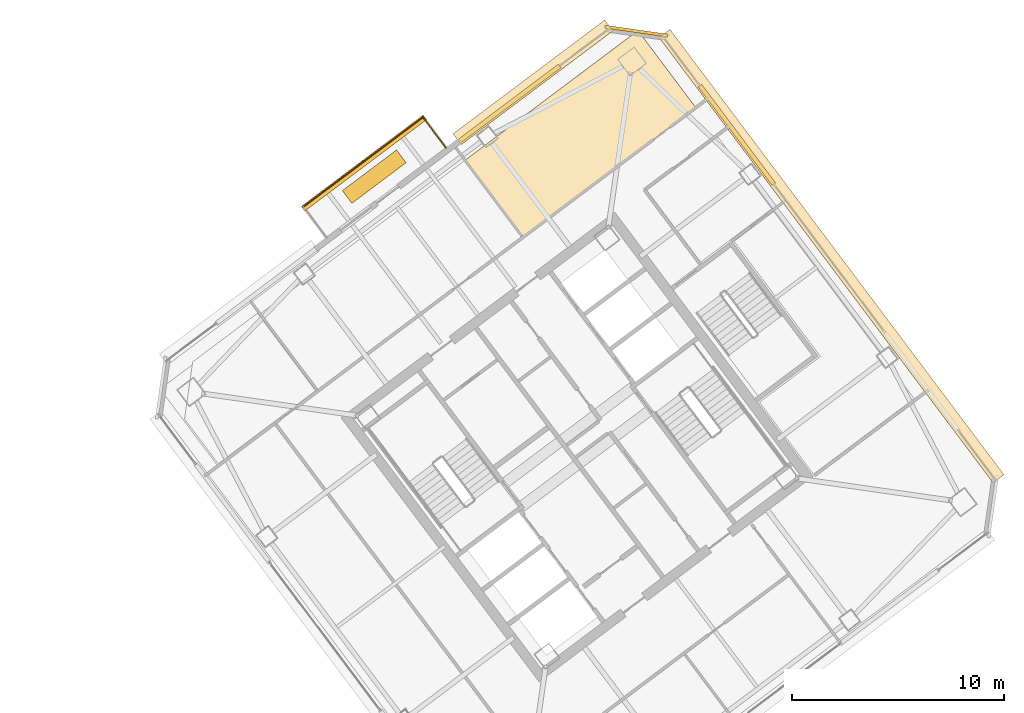
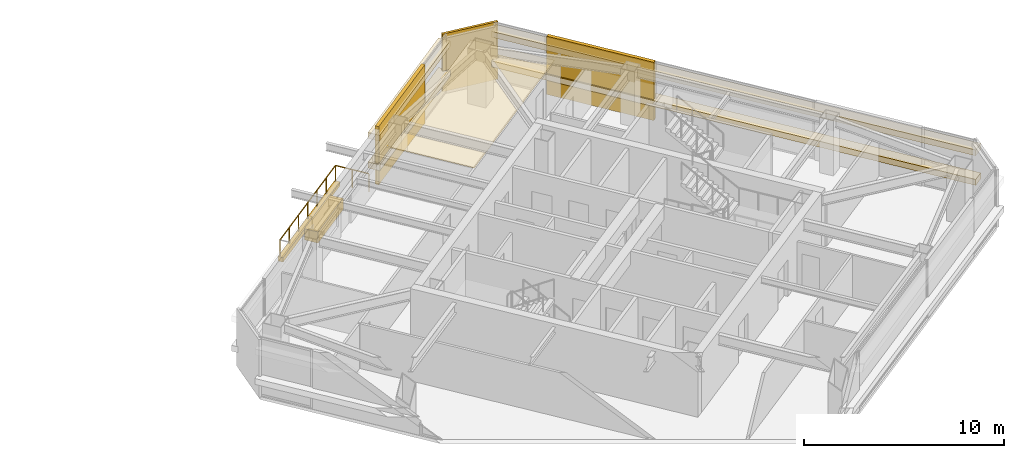
# One storey, part 36 of 36: 10 coverings, 2 railings.
"""IFC4 building model written with IfcOpenShell, lengths in metres."""

from ifc_helpers import new_model, si_unit, direction, frame, origin, origin_2d, place, context, subcontext, project, spatial, polyline, rectangle, outline, extrude, material, layer, layer_set, type_object, element, save


model = new_model("IFC4")

# Units and contexts
model_context = context("Model", 3, precision=1e-05, world=origin(), true_north=direction((0.0, 1.0)))
body_context = subcontext(model_context, "Body", "Model", "MODEL_VIEW")
ifc_project = project(units=[si_unit("LENGTHUNIT", "METRE"), si_unit("AREAUNIT", "SQUARE_METRE"), si_unit("VOLUMEUNIT", "CUBIC_METRE"), si_unit("PLANEANGLEUNIT", "RADIAN"), si_unit("MASSUNIT", "GRAM", prefix="KILO")], contexts=[model_context])

# Site, building, storey
site_placement = place(None, origin())
site = spatial("IfcSite", under=ifc_project, at=site_placement, CompositionType="ELEMENT")
building_placement = place(site_placement, origin())
building = spatial("IfcBuilding", under=site, at=building_placement, Name="Tashvorn Skyway Center", CompositionType="ELEMENT")
storey_placement = place(building_placement, frame((0.0, 0.0, 236.14990234375)))
storey = spatial("IfcBuildingStorey", under=building, at=storey_placement, Name="L64", CompositionType="ELEMENT", Elevation=236.14990234375)

# Coverings
ifc_material_1 = material(Name="Precast concrete C40/50", Category="concrete")
ifc_layer_1 = layer(ifc_material_1, 0.199951171875)
ifc_layer_set_1 = layer_set([ifc_layer_1], Name="Precast concrete C40/50")
covering_type_1 = type_object("IfcCoveringType", Name="COV-BRACE-CLAD", PredefinedType="CLADDING", material=ifc_layer_set_1)
covering_1_placement = place(storey_placement, frame((110.82666015625, 48.219970703125, 0.0), z_axis=(0.0, 0.0, 1.0), x_axis=(0.799999996291, 0.600000004945, 0.0)))
element("IfcCovering", 1, at=covering_1_placement, inside=storey, type_object=covering_type_1, Name="Tower 2 L64 North Curtain Wall R Mega-Brace Cladding Band 1", PredefinedType="CLADDING", context=body_context, shape_type="SweptSolid", body=[
    extrude(rectangle(XDim=5.88671875, YDim=0.199951171875, at=origin_2d()), origin(), (0.0, 0.0, 1.0), 3.550048828125),
])
covering_2_placement = place(storey_placement, frame((121.5439453125, 46.741455078125, 0.0), z_axis=(0.0, 0.0, 1.0), x_axis=(0.600000004945, -0.799999996291, 0.0)))
element("IfcCovering", 2, at=covering_2_placement, inside=storey, type_object=covering_type_1, Name="Tower 2 L64 East Unitised Curtain Wall Mega-Brace Cladding Band 1", PredefinedType="CLADDING", context=body_context, shape_type="SweptSolid", body=[
    extrude(rectangle(XDim=5.8134765625, YDim=0.199951171875, at=origin_2d()), origin(), (0.0, 0.0, 1.0), 3.550048828125),
])
ifc_material_2 = material(Name="Mineral-fibre acoustic ceiling tile on suspended grid")
ifc_layer_2 = layer(ifc_material_2, 0.02001953125)
ifc_layer_set_2 = layer_set([ifc_layer_2], Name="Mineral-fibre acoustic ceiling tile on suspended grid")
covering_type_2 = type_object("IfcCoveringType", Name="COV-CEIL-20", PredefinedType="CEILING", material=ifc_layer_set_2)
covering_3_placement = place(storey_placement, frame((0.0, 0.0, 2.703125)))
element("IfcCovering", 3, at=covering_3_placement, inside=storey, type_object=covering_type_2, Name="Tower 2 L64 Design Studio Acoustic Ceiling", PredefinedType="CEILING", context=body_context, shape_type="SweptSolid", body=[
    extrude(outline(polyline([(111.449951171875, 41.89990234375), (119.610107421875, 48.02001953125), (116.8798828125, 51.659912109375), (108.719970703125, 45.5400390625), (111.449951171875, 41.89990234375)])), origin(), (0.0, 0.0, 1.0), 0.02001953125),
])
ifc_material_3 = material(Name="Perforated ceramic-coated bronze aluminium solar screen", Category="aluminium")
ifc_layer_3 = layer(ifc_material_3, 0.85009765625)
ifc_layer_set_3 = layer_set([ifc_layer_3], Name="Perforated ceramic-coated bronze aluminium solar screen")
covering_type_3 = type_object("IfcCoveringType", Name="COV-SOLAR-BAND", PredefinedType="CLADDING", material=ifc_layer_set_3)
for number, where, z_axis, x_axis, name in (
    (4, (111.919921875, 49.215087890625, 0.919921875), (0.0, 0.0, 1.0), (0.799999996291, 0.600000004945, 0.0), "L64 Perforated Ceramic-Metal Solar Screen Louvre Band North 1"),
    (5, (111.919921875, 49.215087890625, 2.72021484375), (0.0, 0.0, 1.0), (0.799999996291, 0.600000004945, 0.0), "L64 Perforated Ceramic-Metal Solar Screen Louvre Band North 2"),
):
    element("IfcCovering", number, at=place(storey_placement, frame(where, z_axis=z_axis, x_axis=x_axis)), inside=storey, type_object=covering_type_3, Name=name, PredefinedType="CLADDING", context=body_context, shape_type="SweptSolid", body=[
        extrude(rectangle(XDim=8.949951171875, YDim=0.639892578125, at=origin_2d()), origin(), (0.0, 0.0, 1.0), 0.360107421875),
    ])
for number, where, z_axis, x_axis, name in (
    (6, (126.01611328125, 41.011962890625, 0.919921875), (0.0, 0.0, 1.0), (0.600000004945, -0.799999996291, 0.0), "L64 Perforated Ceramic-Metal Solar Screen Louvre Band East 1"),
    (7, (126.01611328125, 41.011962890625, 2.72021484375), (0.0, 0.0, 1.0), (0.600000004945, -0.799999996291, 0.0), "L64 Perforated Ceramic-Metal Solar Screen Louvre Band East 2"),
):
    element("IfcCovering", number, at=place(storey_placement, frame(where, z_axis=z_axis, x_axis=x_axis)), inside=storey, type_object=covering_type_3, Name=name, PredefinedType="CLADDING", context=body_context, shape_type="SweptSolid", body=[
        extrude(rectangle(XDim=26.280029296875, YDim=0.639892578125, at=origin_2d()), origin(), (0.0, 0.0, 1.0), 0.360107421875),
    ])
ifc_layer_4 = layer(ifc_material_1, 0.35009765625)
ifc_layer_set_4 = layer_set([ifc_layer_4], Name="Precast concrete C40/50")
covering_type_4 = type_object("IfcCoveringType", Name="COV-STONE-TRIM", PredefinedType="CLADDING", material=ifc_layer_set_4)
covering_4_placement = place(storey_placement, frame((103.944091796875, 45.407958984375, -0.16015625), z_axis=(0.0, 0.0, 1.0), x_axis=(0.799999996291, 0.600000004945, 0.0)))
element("IfcCovering", 8, at=covering_4_placement, inside=storey, type_object=covering_type_4, Name="Tower 2 L64 Spiral Terrace Terracotta Fascia", PredefinedType="CLADDING", context=body_context, shape_type="SweptSolid", body=[
    extrude(rectangle(XDim=7.199951171875, YDim=0.280029296875, at=origin_2d()), origin(), (0.0, 0.0, 1.0), 0.280029296875),
])
covering_5_placement = place(storey_placement, frame((104.429931640625, 44.760009765625, 0.0), z_axis=(0.0, 0.0, 1.0), x_axis=(0.799999996291, 0.600000004945, 0.0)))
element("IfcCovering", 9, at=covering_5_placement, inside=storey, type_object=covering_type_4, Name="Tower 2 L64 Spiral Terrace Planter", PredefinedType="CLADDING", context=body_context, shape_type="SweptSolid", body=[
    extrude(rectangle(XDim=3.199951171875, YDim=0.75, at=origin_2d()), origin(), (0.0, 0.0, 1.0), 0.679931640625),
])
covering_6_placement = place(storey_placement, frame((116.803955078125, 51.6279296875, 0.02001953125), z_axis=(0.0, 0.0, 1.0), x_axis=(0.989949494535, -0.141421350118, 0.0)))
element("IfcCovering", 10, at=covering_6_placement, inside=storey, type_object=covering_type_4, Name="Tower 2 L64 NE Mojave Limestone Corner Quoin", PredefinedType="CLADDING", context=body_context, shape_type="SweptSolid", body=[
    extrude(rectangle(XDim=2.98828125, YDim=0.139892578125, at=origin_2d()), origin(), (0.0, 0.0, 1.0), 3.510009765625),
])

# Railings
ifc_material_4 = material(Name="Galvanized steel S355", Category="steel")
railing_type = type_object("IfcRailingType", Name="RAIL-GUARD-1120", PredefinedType="GUARDRAIL", material=ifc_material_4)
railing_1_placement = place(storey_placement, frame((101.092041015625, 43.343994140625, 0.0)))
element("IfcRailing", 11, at=railing_1_placement, inside=storey, type_object=railing_type, Name="L64 Tower 2 Terrace Guardrail 02", PredefinedType="GUARDRAIL", context=body_context, shape_type="SweptSolid", body=[
    extrude(rectangle(XDim=0.048095703125, YDim=0.048095703125, at=origin_2d()), frame((0.0, 0.0, 1.09619140625), z_axis=(0.799995838574, 0.600005548528, 0.0), x_axis=(-0.600005548528, 0.799995838574, 0.0)), (0.0, 0.0, 1.0), 7.0400390625),
    extrude(rectangle(XDim=0.0419921875, YDim=0.0419921875, at=origin_2d()), origin(), (0.0, 0.0, 1.0), 1.072021484375),
    extrude(rectangle(XDim=0.0419921875, YDim=0.0419921875, at=origin_2d()), frame((0.938720703125, 0.7041015625, 0.0)), (0.0, 0.0, 1.0), 1.072021484375),
    extrude(rectangle(XDim=0.0419921875, YDim=0.0419921875, at=origin_2d()), frame((1.87744140625, 1.407958984375, 0.0)), (0.0, 0.0, 1.0), 1.072021484375),
    extrude(rectangle(XDim=0.0419921875, YDim=0.0419921875, at=origin_2d()), frame((2.81591796875, 2.112060546875, 0.0)), (0.0, 0.0, 1.0), 1.072021484375),
    extrude(rectangle(XDim=0.0419921875, YDim=0.0419921875, at=origin_2d()), frame((3.754638671875, 2.816162109375, 0.0)), (0.0, 0.0, 1.0), 1.072021484375),
    extrude(rectangle(XDim=0.0419921875, YDim=0.0419921875, at=origin_2d()), frame((4.693359375, 3.52001953125, 0.0)), (0.0, 0.0, 1.0), 1.072021484375),
    extrude(rectangle(XDim=0.0419921875, YDim=0.0419921875, at=origin_2d()), frame((5.632080078125, 4.22412109375, 0.0)), (0.0, 0.0, 1.0), 1.072021484375),
])
railing_2_placement = place(storey_placement, frame((106.72412109375, 47.568115234375, 0.0)))
element("IfcRailing", 12, at=railing_2_placement, inside=storey, type_object=railing_type, Name="L64 Tower 2 Terrace Guardrail 03", PredefinedType="GUARDRAIL", context=body_context, shape_type="SweptSolid", body=[
    extrude(rectangle(XDim=0.048095703125, YDim=0.048095703125, at=origin_2d()), frame((0.0, 0.0, 1.09619140625), z_axis=(0.599914141212, -0.800064386893, 0.0), x_axis=(0.800064386893, 0.599914141212, 0.0)), (0.0, 0.0, 1.0), 1.81982421875),
    extrude(rectangle(XDim=0.0419921875, YDim=0.0419921875, at=origin_2d()), origin(), (0.0, 0.0, 1.0), 1.072021484375),
    extrude(rectangle(XDim=0.0419921875, YDim=0.0419921875, at=origin_2d()), frame((0.5458984375, -0.72802734375, 0.0)), (0.0, 0.0, 1.0), 1.072021484375),
    extrude(rectangle(XDim=0.0419921875, YDim=0.0419921875, at=origin_2d()), frame((1.091796875, -1.4560546875, 0.0)), (0.0, 0.0, 1.0), 1.072021484375),
])

save(model, "model.ifc")
